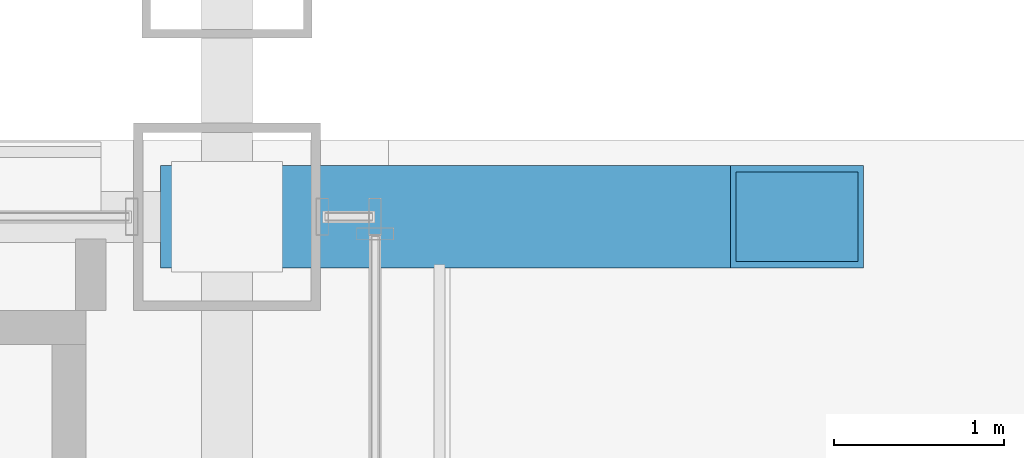
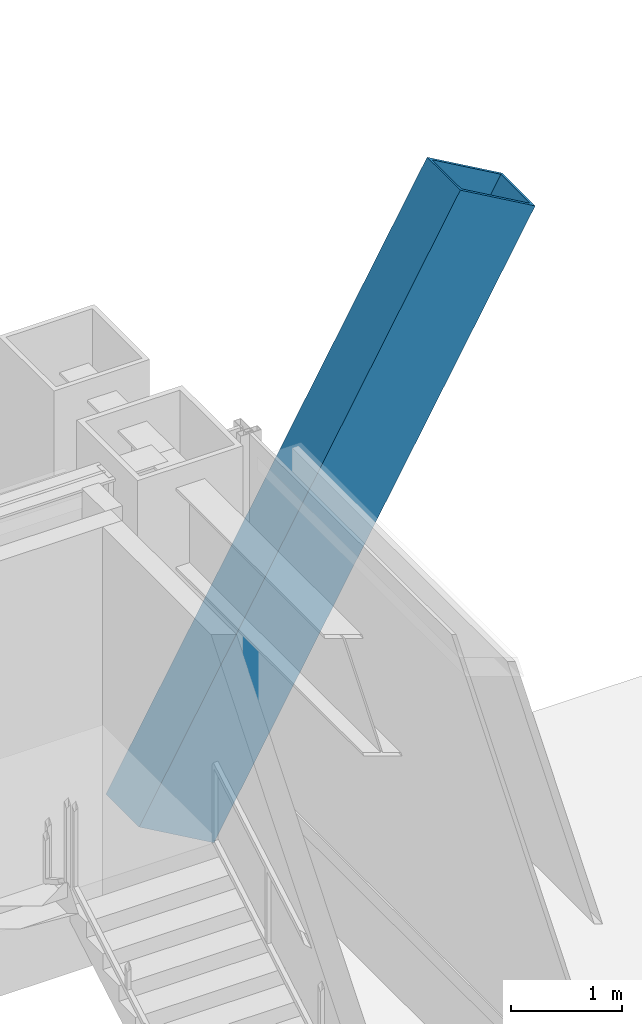
# One storey, part 16 of 37: 1 member.
"""IFC4 building model written with IfcOpenShell, lengths in metres."""

from ifc_helpers import new_model, si_unit, direction, frame, origin, origin_2d, place, context, subcontext, project, spatial, hollow_rectangle, extrude, material, material_profile, profile_set, type_object, element, save


model = new_model("IFC4")

# Units and contexts
model_context = context("Model", 3, precision=1e-05, world=origin(), true_north=direction((0.0, 1.0)))
body_context = subcontext(model_context, "Body", "Model", "MODEL_VIEW")
ifc_project = project(units=[si_unit("LENGTHUNIT", "METRE"), si_unit("AREAUNIT", "SQUARE_METRE"), si_unit("VOLUMEUNIT", "CUBIC_METRE"), si_unit("PLANEANGLEUNIT", "RADIAN"), si_unit("MASSUNIT", "GRAM", prefix="KILO")], contexts=[model_context])

# Site, building, storey
site_placement = place(None, origin())
site = spatial("IfcSite", under=ifc_project, at=site_placement, CompositionType="ELEMENT")
building_placement = place(site_placement, origin())
building = spatial("IfcBuilding", under=site, at=building_placement, Name="Brelmoor Portico Tower", CompositionType="ELEMENT")
storey_placement = place(building_placement, origin())
storey = spatial("IfcBuildingStorey", under=building, at=storey_placement, Name="L00", CompositionType="ELEMENT", Elevation=0.0)

# Member
ifc_material = material(Name="Steel Q420B", Category="steel")
ifc_material_profile = material_profile(ifc_material, hollow_rectangle(XDim=0.60009765625, YDim=0.89990234375, WallThickness=0.035888671875, at=origin_2d()), Name="RHS 600x900x36")
ifc_profile_set = profile_set([ifc_material_profile], Name="Steel Q420B")
member_type = type_object("IfcMemberType", Name="MB-ARCH-RIB", PredefinedType="CHORD", material=ifc_profile_set)
member_placement = place(storey_placement, frame((-14.550048828125, 27.550048828125, 0.550048828125), z_axis=(0.496957759354, 0.0, 0.867774731954), x_axis=(0.0, 1.0, 0.0)))
element("IfcMember", 1, at=member_placement, inside=storey, type_object=member_type, Name="Giant Portico Arch Rib N1-1", PredefinedType="CHORD", context=body_context, shape_type="SweptSolid", body=[
    extrude(hollow_rectangle(XDim=0.60009765625, YDim=0.89990234375, WallThickness=0.035888671875, at=origin_2d()), origin(), (0.0, 0.0, 1.0), 6.7412109375),
])

save(model, "model.ifc")
